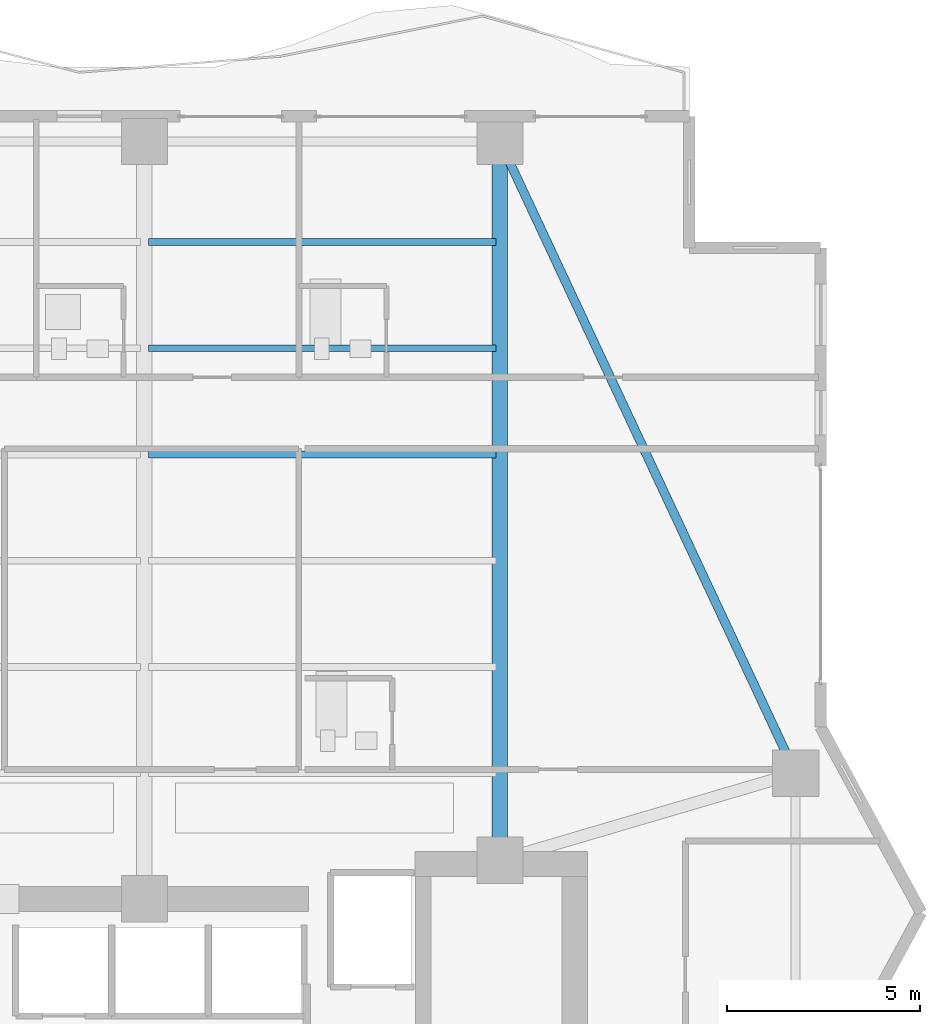
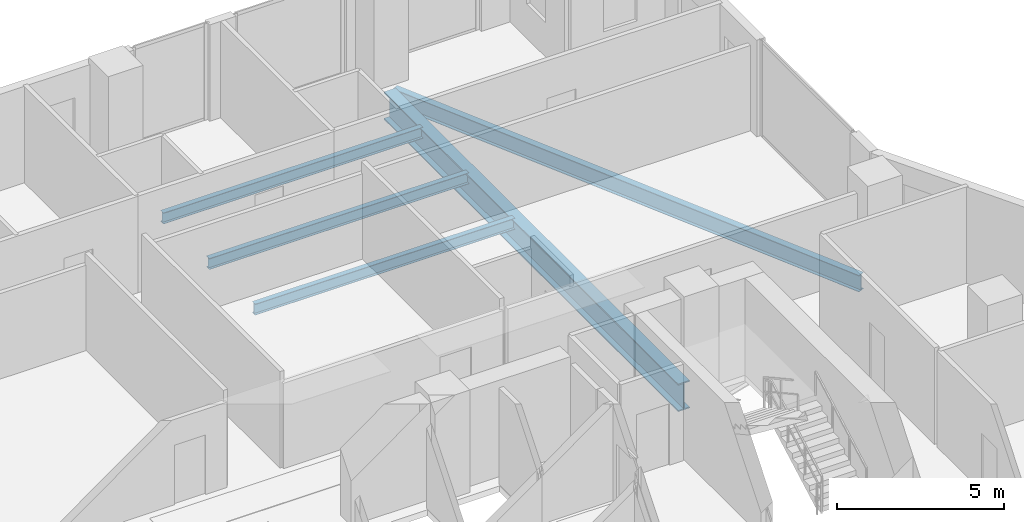
# One storey, part 20 of 32: 5 beams.
"""IFC4 building model written with IfcOpenShell, lengths in metres."""

from ifc_helpers import new_model, si_unit, direction, frame, origin, origin_2d, place, context, subcontext, project, spatial, i_section, extrude, material, material_profile, profile_set, type_object, element, save


model = new_model("IFC4")

# Units and contexts
model_context = context("Model", 3, precision=1e-05, world=origin(), true_north=direction((0.0, 1.0)))
body_context = subcontext(model_context, "Body", "Model", "MODEL_VIEW")
ifc_project = project(units=[si_unit("LENGTHUNIT", "METRE"), si_unit("AREAUNIT", "SQUARE_METRE"), si_unit("VOLUMEUNIT", "CUBIC_METRE"), si_unit("PLANEANGLEUNIT", "RADIAN"), si_unit("MASSUNIT", "GRAM", prefix="KILO")], contexts=[model_context])

# Site, building, storey
site_placement = place(None, origin())
site = spatial("IfcSite", under=ifc_project, at=site_placement, CompositionType="ELEMENT")
building_placement = place(site_placement, origin())
building = spatial("IfcBuilding", under=site, at=building_placement, Name="Zuhayl Quay Hotel", CompositionType="ELEMENT")
storey_placement = place(building_placement, frame((0.0, 0.0, 184.89990234375)))
storey = spatial("IfcBuildingStorey", under=building, at=storey_placement, Name="L46", CompositionType="ELEMENT", Elevation=184.89990234375)

# Beams
ifc_material = material(Name="Steel ASTM A992 Grade 50", Category="steel")
ifc_material_profile_1 = material_profile(ifc_material, i_section(OverallWidth=0.22802734375, OverallDepth=0.60693359375, WebThickness=0.01123046875, FlangeThickness=0.017333984375, at=origin_2d()), Name="W24X76")
ifc_profile_set_1 = profile_set([ifc_material_profile_1], Name="Steel ASTM A992 Grade 50")
beam_type_1 = type_object("IfcBeamType", Name="BM_B3_W24X76", PredefinedType="BEAM", material=ifc_profile_set_1)
beam_1_placement = place(storey_placement, frame((21.238037109375, 17.052978515625, -0.5234375), z_axis=(-0.423792164429, 0.905759461098, 0.0), x_axis=(-0.905759461098, -0.423792164429, 0.0)))
element("IfcBeam", 1, at=beam_1_placement, inside=storey, type_object=beam_type_1, Name="L46 Floor Beam RG_L46_06", PredefinedType="BEAM", context=body_context, shape_type="SweptSolid", body=[
    extrude(i_section(OverallWidth=0.22802734375, OverallDepth=0.60693359375, WebThickness=0.01123046875, FlangeThickness=0.017333984375, at=origin_2d()), origin(), (0.0, 0.0, 1.0), 17.051025390625),
])
ifc_material_profile_2 = material_profile(ifc_material, i_section(OverallWidth=0.177978515625, OverallDepth=0.406005859375, WebThickness=0.0078125, FlangeThickness=0.0126953125, at=origin_2d()), Name="W16X40")
ifc_profile_set_2 = profile_set([ifc_material_profile_2], Name="Steel ASTM A992 Grade 50")
beam_type_2 = type_object("IfcBeamType", Name="BM_J2B_W16X40", PredefinedType="JOIST", material=ifc_profile_set_2)
for number, where, z_axis, x_axis, name in (
    (2, (4.7060546875, 24.85009765625, -0.4228515625), (1.0, 0.0, 0.0), (0.0, 1.0, 0.0), "L46 Floor Beam FJ_L46_4_3"),
    (3, (4.7060546875, 27.60009765625, -0.4228515625), (1.0, 0.0, 0.0), (0.0, 1.0, 0.0), "L46 Floor Beam FJ_L46_5_3"),
    (4, (4.7060546875, 30.35009765625, -0.4228515625), (1.0, 0.0, 0.0), (0.0, 1.0, 0.0), "L46 Floor Beam FJ_L46_6_3"),
):
    element("IfcBeam", number, at=place(storey_placement, frame(where, z_axis=z_axis, x_axis=x_axis)), inside=storey, type_object=beam_type_2, Name=name, PredefinedType="JOIST", context=body_context, shape_type="SweptSolid", body=[
        extrude(i_section(OverallWidth=0.177978515625, OverallDepth=0.406005859375, WebThickness=0.0078125, FlangeThickness=0.0126953125, at=origin_2d()), origin(), (0.0, 0.0, 1.0), 8.988037109375),
    ])
ifc_material_profile_3 = material_profile(ifc_material, i_section(OverallWidth=0.40087890625, OverallDepth=1.010986328125, WebThickness=0.023681640625, FlangeThickness=0.0419921875, at=origin_2d()), Name="W40X297")
ifc_profile_set_3 = profile_set([ifc_material_profile_3], Name="Steel ASTM A992 Grade 50")
beam_type_3 = type_object("IfcBeamType", Name="BM_TG2_W40X297", PredefinedType="BEAM", material=ifc_profile_set_3)
beam_2_placement = place(storey_placement, frame((13.800048828125, 14.800048828125, -0.725341796875), z_axis=(0.0, 1.0, 0.0), x_axis=(-1.0, 0.0, 0.0)))
element("IfcBeam", 5, at=beam_2_placement, inside=storey, type_object=beam_type_3, Name="L46 Floor Beam FG_N_L46_4", PredefinedType="BEAM", context=body_context, shape_type="SweptSolid", body=[
    extrude(i_section(OverallWidth=0.40087890625, OverallDepth=1.010986328125, WebThickness=0.023681640625, FlangeThickness=0.0419921875, at=origin_2d()), origin(), (0.0, 0.0, 1.0), 17.64990234375),
])

save(model, "model.ifc")
